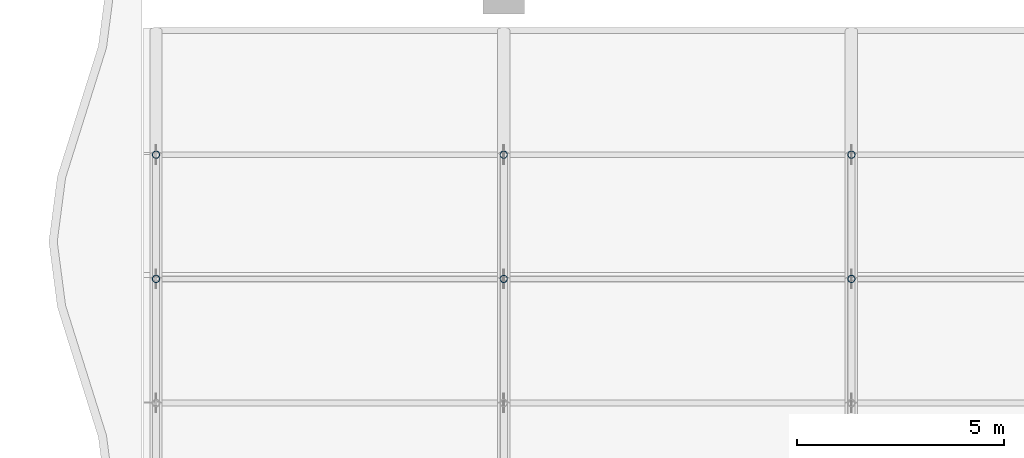
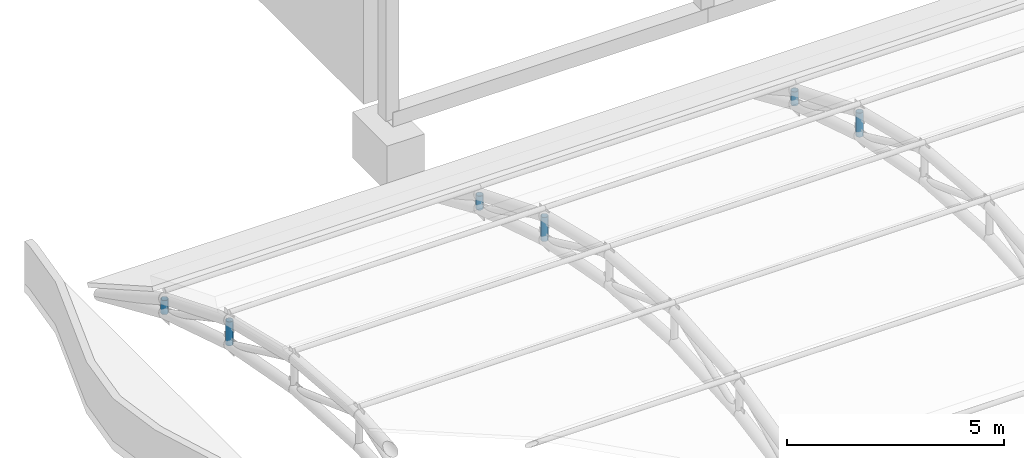
# One storey, part 69 of 163: 6 members.
"""IFC4 building model written with IfcOpenShell, lengths in metres."""

from ifc_helpers import new_model, si_unit, direction, frame, origin, origin_2d, place, context, subcontext, project, spatial, hollow_circle, extrude, material, material_profile, profile_set, type_object, element, save


model = new_model("IFC4")

# Units and contexts
model_context = context("Model", 3, precision=1e-05, world=origin(), true_north=direction((0.0, 1.0)))
body_context = subcontext(model_context, "Body", "Model", "MODEL_VIEW")
ifc_project = project(units=[si_unit("LENGTHUNIT", "METRE"), si_unit("AREAUNIT", "SQUARE_METRE"), si_unit("VOLUMEUNIT", "CUBIC_METRE"), si_unit("PLANEANGLEUNIT", "RADIAN"), si_unit("MASSUNIT", "GRAM", prefix="KILO")], contexts=[model_context])

# Site, building, storey
site_placement = place(None, origin())
site = spatial("IfcSite", under=ifc_project, at=site_placement, CompositionType="ELEMENT")
building_placement = place(site_placement, origin())
building = spatial("IfcBuilding", under=site, at=building_placement, Name="Rain Tree Exposition and Congress Centre", CompositionType="ELEMENT")
storey_placement = place(building_placement, frame((0.0, 0.0, 10.5)))
storey = spatial("IfcBuildingStorey", under=building, at=storey_placement, Name="L02", CompositionType="ELEMENT", Elevation=10.5)

# Members
ifc_material = material(Name="Steel S355J2H", Category="steel")
ifc_material_profile = material_profile(ifc_material, hollow_circle(Radius=0.090087890625, WallThickness=0.008056640625, at=origin_2d()), Name="CHS 180x8")
ifc_profile_set = profile_set([ifc_material_profile], Name="Steel S355J2H")
member_type = type_object("IfcMemberType", Name="Steel post member CHS 180x8", PredefinedType="POST", material=ifc_profile_set)
member_1_placement = place(storey_placement, frame((0.0, 93.60009765625, 2.3798828125), z_axis=(0.0, 0.0, 1.0), x_axis=(1.0, 0.0, 0.0)))
element("IfcMember", 1, at=member_1_placement, inside=storey, type_object=member_type, Name="Roof truss 1 post 6", PredefinedType="POST", context=body_context, shape_type="SweptSolid", body=[
    extrude(hollow_circle(Radius=0.090087890625, WallThickness=0.008056640625, at=origin_2d()), origin(), (0.0, 0.0, 1.0), 0.675048828125),
])
member_2_placement = place(storey_placement, frame((0.0, 96.60009765625, 1.4423828125), z_axis=(0.0, 0.0, 1.0), x_axis=(1.0, 0.0, 0.0)))
element("IfcMember", 2, at=member_2_placement, inside=storey, type_object=member_type, Name="Roof truss 1 post 7", PredefinedType="POST", context=body_context, shape_type="SweptSolid", body=[
    extrude(hollow_circle(Radius=0.090087890625, WallThickness=0.008056640625, at=origin_2d()), origin(), (0.0, 0.0, 1.0), 0.393798828125),
])
member_3_placement = place(storey_placement, frame((8.39990234375, 93.60009765625, 2.3798828125), z_axis=(0.0, 0.0, 1.0), x_axis=(1.0, 0.0, 0.0)))
element("IfcMember", 3, at=member_3_placement, inside=storey, type_object=member_type, Name="Roof truss 2 post 6", PredefinedType="POST", context=body_context, shape_type="SweptSolid", body=[
    extrude(hollow_circle(Radius=0.090087890625, WallThickness=0.008056640625, at=origin_2d()), origin(), (0.0, 0.0, 1.0), 0.675048828125),
])
member_4_placement = place(storey_placement, frame((8.39990234375, 96.60009765625, 1.4423828125), z_axis=(0.0, 0.0, 1.0), x_axis=(1.0, 0.0, 0.0)))
element("IfcMember", 4, at=member_4_placement, inside=storey, type_object=member_type, Name="Roof truss 2 post 7", PredefinedType="POST", context=body_context, shape_type="SweptSolid", body=[
    extrude(hollow_circle(Radius=0.090087890625, WallThickness=0.008056640625, at=origin_2d()), origin(), (0.0, 0.0, 1.0), 0.393798828125),
])
member_5_placement = place(storey_placement, frame((16.800048828125, 93.60009765625, 2.3798828125), z_axis=(0.0, 0.0, 1.0), x_axis=(1.0, 0.0, 0.0)))
element("IfcMember", 5, at=member_5_placement, inside=storey, type_object=member_type, Name="Roof truss 3 post 6", PredefinedType="POST", context=body_context, shape_type="SweptSolid", body=[
    extrude(hollow_circle(Radius=0.090087890625, WallThickness=0.008056640625, at=origin_2d()), origin(), (0.0, 0.0, 1.0), 0.675048828125),
])
member_6_placement = place(storey_placement, frame((16.800048828125, 96.60009765625, 1.4423828125), z_axis=(0.0, 0.0, 1.0), x_axis=(1.0, 0.0, 0.0)))
element("IfcMember", 6, at=member_6_placement, inside=storey, type_object=member_type, Name="Roof truss 3 post 7", PredefinedType="POST", context=body_context, shape_type="SweptSolid", body=[
    extrude(hollow_circle(Radius=0.090087890625, WallThickness=0.008056640625, at=origin_2d()), origin(), (0.0, 0.0, 1.0), 0.393798828125),
])

save(model, "model.ifc")
